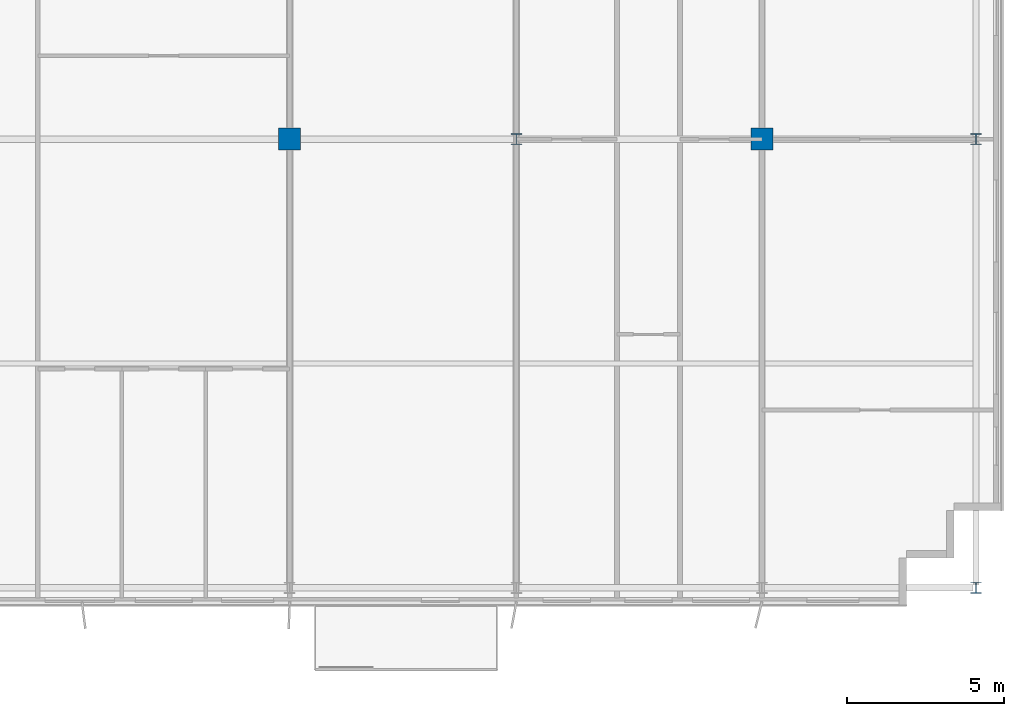
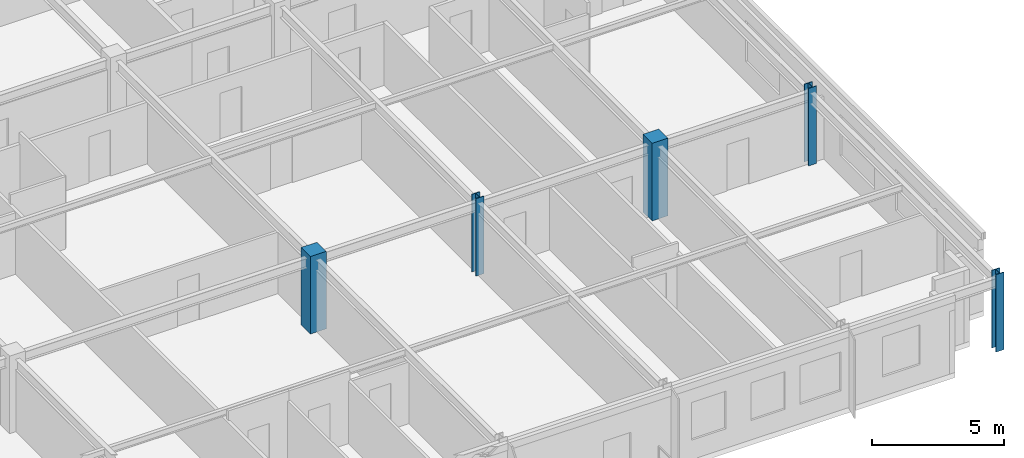
# One storey, part 2 of 23: 5 columns.
"""IFC4 building model written with IfcOpenShell, lengths in metres."""

from ifc_helpers import new_model, si_unit, direction, frame, origin, origin_2d, place, context, subcontext, project, spatial, rectangle, i_section, extrude, source, transform, mapped, material, material_profile, profile_set, type_object, element, save


model = new_model("IFC4")

# Units and contexts
model_context = context("Model", 3, precision=1e-05, world=origin(), true_north=direction((0.0, 1.0)))
body_context = subcontext(model_context, "Body", "Model", "MODEL_VIEW")
ifc_project = project(units=[si_unit("LENGTHUNIT", "METRE"), si_unit("AREAUNIT", "SQUARE_METRE"), si_unit("VOLUMEUNIT", "CUBIC_METRE"), si_unit("PLANEANGLEUNIT", "RADIAN"), si_unit("MASSUNIT", "GRAM", prefix="KILO")], contexts=[model_context])

# Site, building, storey
site_placement = place(None, origin())
site = spatial("IfcSite", under=ifc_project, at=site_placement, CompositionType="ELEMENT")
building_placement = place(site_placement, origin())
building = spatial("IfcBuilding", under=site, at=building_placement, Name="Trelvane Seafront Commons", CompositionType="ELEMENT")
storey_placement = place(building_placement, frame((0.0, 0.0, 208.5)))
storey = spatial("IfcBuildingStorey", under=building, at=storey_placement, Name="L54", CompositionType="ELEMENT", Elevation=208.5)

# Columns
ifc_material_1 = material(Name="Concrete C50/60", Category="concrete")
ifc_material_profile_1 = material_profile(ifc_material_1, rectangle(XDim=0.699951171875, YDim=0.699951171875, at=origin_2d()), Name="RC-700x700")
ifc_profile_set_1 = profile_set([ifc_material_profile_1], Name="Concrete C50/60")
column_type_1 = type_object("IfcColumnType", Name="STR-COL-RC700", PredefinedType="COLUMN", material=ifc_profile_set_1)
shared_shape_1 = source(origin(), body_context, "Body", "SweptSolid", [
    extrude(rectangle(XDim=0.699951171875, YDim=0.699951171875, at=origin_2d()), origin(), (0.0, 0.0, 1.0), 3.60009765625),
])
for number, where, z_axis, x_axis, name in (
    (1, (43.800048828125, 18.199951171875, 0.0), (0.0, 0.0, 1.0), (1.0, 0.0, 0.0), "L54 Column TC-M43.8"),
    (2, (58.800048828125, 18.199951171875, 0.0), (0.0, 0.0, 1.0), (1.0, 0.0, 0.0), "L54 Column TC-M58.8"),
):
    element("IfcColumn", number, at=place(storey_placement, frame(where, z_axis=z_axis, x_axis=x_axis)), inside=storey, type_object=column_type_1, Name=name, PredefinedType="COLUMN", context=body_context, shape_type="MappedRepresentation", body=[
        mapped(shared_shape_1, transform((0.0, 0.0, 0.0), x_axis=(1.0, 0.0, 0.0), y_axis=(0.0, 1.0, 0.0), z_axis=(0.0, 0.0, 1.0), scale=1.0)),
    ])
ifc_material_2 = material(Name="Steel SM355 (S355)", Category="steel")
ifc_material_profile_2 = material_profile(ifc_material_2, i_section(OverallWidth=0.35009765625, OverallDepth=0.35009765625, WebThickness=0.01806640625, FlangeThickness=0.028076171875, at=origin_2d()), Name="HD-350x350x18x28")
ifc_profile_set_2 = profile_set([ifc_material_profile_2], Name="Steel SM355 (S355)")
column_type_2 = type_object("IfcColumnType", Name="STR-COL-HD350", PredefinedType="COLUMN", material=ifc_profile_set_2)
shared_shape_2 = source(origin(), body_context, "Body", "SweptSolid", [
    extrude(i_section(OverallWidth=0.35009765625, OverallDepth=0.35009765625, WebThickness=0.01806640625, FlangeThickness=0.028076171875, at=origin_2d()), origin(), (0.0, 0.0, 1.0), 3.60009765625),
])
for number, where, z_axis, x_axis, name in (
    (3, (51.0, 18.199951171875, 0.0), (0.0, 0.0, 1.0), (1.0, 0.0, 0.0), "L54 Column TC-M51.0"),
    (4, (65.60009765625, 3.949951171875, 0.0), (0.0, 0.0, 1.0), (1.0, 0.0, 0.0), "L54 Column TC-S65.6"),
    (5, (65.60009765625, 18.199951171875, 0.0), (0.0, 0.0, 1.0), (1.0, 0.0, 0.0), "L54 Column TC-M65.6"),
):
    element("IfcColumn", number, at=place(storey_placement, frame(where, z_axis=z_axis, x_axis=x_axis)), inside=storey, type_object=column_type_2, Name=name, PredefinedType="COLUMN", context=body_context, shape_type="MappedRepresentation", body=[
        mapped(shared_shape_2, transform((0.0, 0.0, 0.0), x_axis=(1.0, 0.0, 0.0), y_axis=(0.0, 1.0, 0.0), z_axis=(0.0, 0.0, 1.0), scale=1.0)),
    ])

save(model, "model.ifc")
